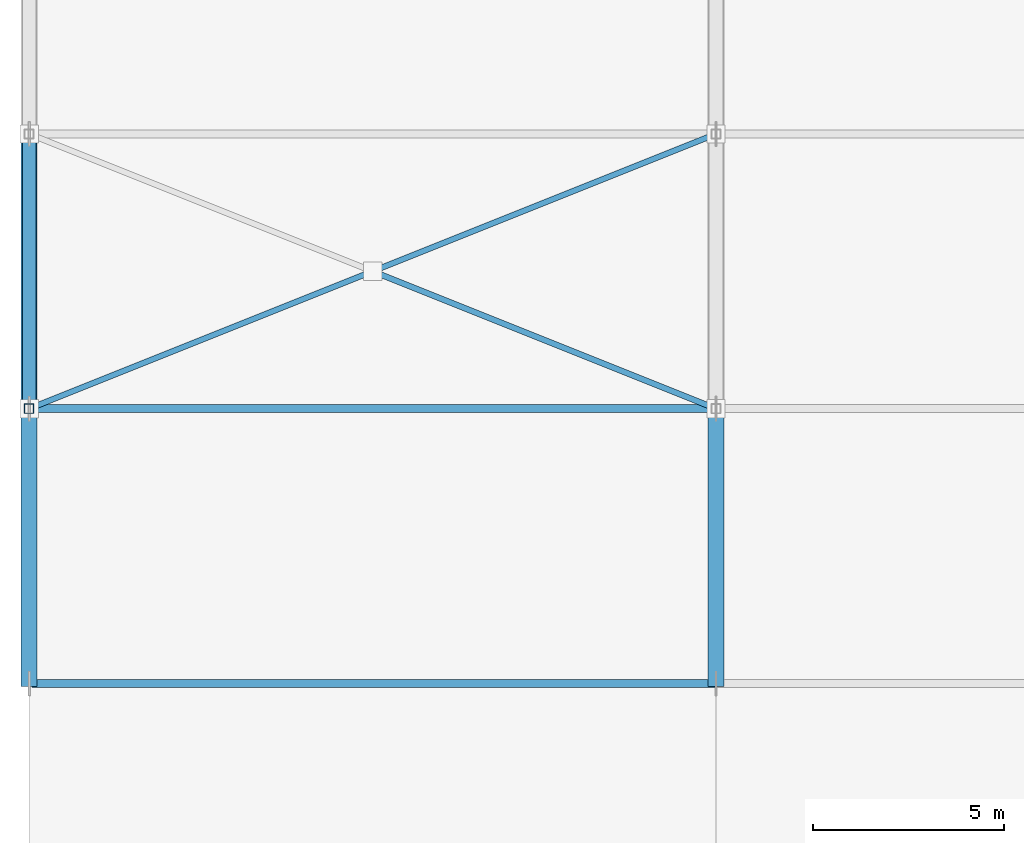
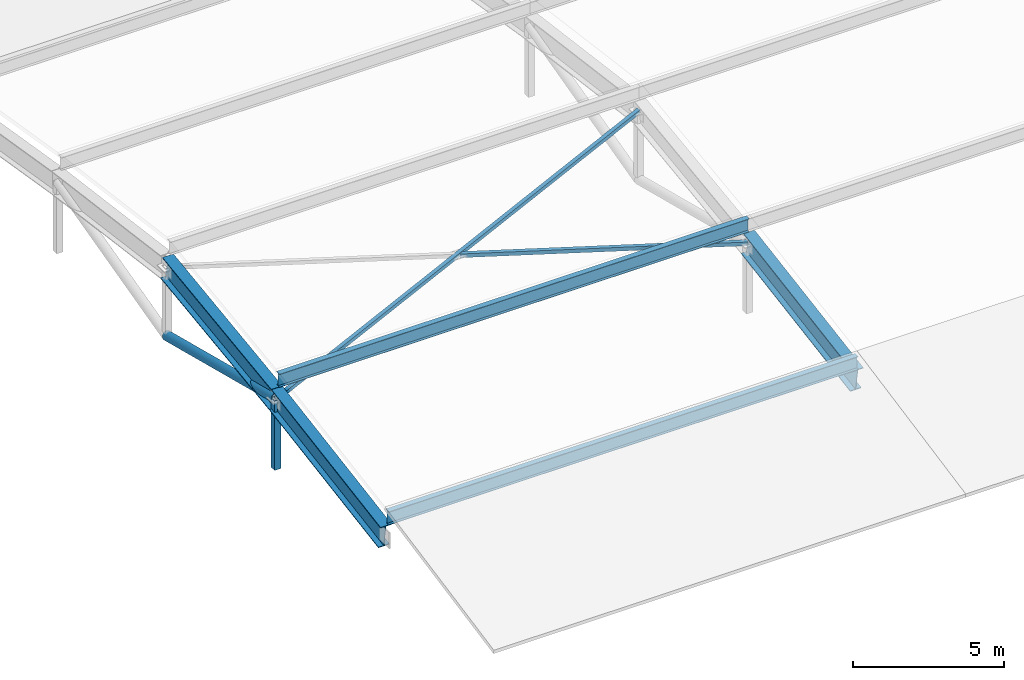
# One storey, part 7 of 78: 9 members.
"""IFC4 building model written with IfcOpenShell, lengths in metres."""

from ifc_helpers import new_model, si_unit, direction, frame, origin, origin_2d, place, context, subcontext, project, spatial, hollow_rectangle, hollow_circle, i_section, extrude, material, material_profile, profile_set, type_object, element, save


model = new_model("IFC4")

# Units and contexts
model_context = context("Model", 3, precision=1e-05, world=origin(), true_north=direction((0.0, 1.0)))
body_context = subcontext(model_context, "Body", "Model", "MODEL_VIEW")
ifc_project = project(units=[si_unit("LENGTHUNIT", "METRE"), si_unit("AREAUNIT", "SQUARE_METRE"), si_unit("VOLUMEUNIT", "CUBIC_METRE"), si_unit("PLANEANGLEUNIT", "RADIAN"), si_unit("MASSUNIT", "GRAM", prefix="KILO")], contexts=[model_context])

# Site, building, storey
site_placement = place(None, origin())
site = spatial("IfcSite", under=ifc_project, at=site_placement, CompositionType="ELEMENT")
building_placement = place(site_placement, origin())
building = spatial("IfcBuilding", under=site, at=building_placement, Name="Celestram Park Convention Centre", CompositionType="ELEMENT")
storey_placement = place(building_placement, frame((0.0, 0.0, 19.800048828125)))
storey = spatial("IfcBuildingStorey", under=building, at=storey_placement, Name="L04", CompositionType="ELEMENT", Elevation=19.800048828125)

# Members
ifc_material_1 = material(Name="Steel ASTM A500 Grade C", Category="steel")
ifc_material_profile_1 = material_profile(ifc_material_1, hollow_circle(Radius=0.177978515625, WallThickness=0.011962890625, at=origin_2d()), Name="CHS356X12")
ifc_profile_set_1 = profile_set([ifc_material_profile_1], Name="Steel ASTM A500 Grade C")
member_type_1 = type_object("IfcMemberType", Name="STR-BRC-CHS356", PredefinedType="BRACE", material=ifc_profile_set_1)
member_1_placement = place(storey_placement, frame((0.0, 57.60009765625, 1.670166015625), z_axis=(0.0, 0.968804355336, -0.247826796536), x_axis=(-1.0, 0.0, 0.0)))
element("IfcMember", 1, at=member_1_placement, inside=storey, type_object=member_type_1, Name="V1 arch web diagonal", PredefinedType="BRACE", context=body_context, shape_type="SweptSolid", body=[
    extrude(hollow_circle(Radius=0.177978515625, WallThickness=0.011962890625, at=origin_2d()), origin(), (0.0, 0.0, 1.0), 7.431884765625),
])
ifc_material_profile_2 = material_profile(ifc_material_1, hollow_rectangle(XDim=0.14990234375, YDim=0.14990234375, WallThickness=0.008056640625, at=origin_2d()), Name="HSS150X150X8")
ifc_profile_set_2 = profile_set([ifc_material_profile_2], Name="Steel ASTM A500 Grade C")
member_type_2 = type_object("IfcMemberType", Name="STR-BRC-HSS150", PredefinedType="BRACE", material=ifc_profile_set_2)
member_2_placement = place(storey_placement, frame((0.0, 57.60009765625, 1.6416015625), z_axis=(0.927345409969, 0.370935648402, 0.049368363907), x_axis=(-0.371388505097, 0.928477559385, 0.0)))
element("IfcMember", 2, at=member_2_placement, inside=storey, type_object=member_type_2, Name="Roof lateral continuous wind X-brace", PredefinedType="BRACE", context=body_context, shape_type="SweptSolid", body=[
    extrude(hollow_rectangle(XDim=0.14990234375, YDim=0.14990234375, WallThickness=0.008056640625, at=origin_2d()), origin(), (0.0, 0.0, 1.0), 19.41015625),
])
member_3_placement = place(storey_placement, frame((18.0, 57.60009765625, 1.6416015625), z_axis=(-0.927347228537, 0.370928740108, 0.049386106202), x_axis=(-0.37138191452, -0.928480195571, 0.0)))
element("IfcMember", 3, at=member_3_placement, inside=storey, type_object=member_type_2, Name="Roof lateral split wind X-brace lower half", PredefinedType="BRACE", context=body_context, shape_type="SweptSolid", body=[
    extrude(hollow_rectangle(XDim=0.14990234375, YDim=0.14990234375, WallThickness=0.008056640625, at=origin_2d()), origin(), (0.0, 0.0, 1.0), 9.6201171875),
])
ifc_material_2 = material(Name="Steel ASTM A992 Grade 50", Category="steel")
ifc_material_profile_3 = material_profile(ifc_material_2, i_section(OverallWidth=0.4189453125, OverallDepth=0.927001953125, WebThickness=0.019287109375, FlangeThickness=0.031982421875, at=origin_2d()), Name="W36X231")
ifc_profile_set_3 = profile_set([ifc_material_profile_3], Name="Steel ASTM A992 Grade 50")
member_type_3 = type_object("IfcMemberType", Name="STR-CHD-W36X231", PredefinedType="CHORD", material=ifc_profile_set_3)
member_4_placement = place(storey_placement, frame((0.0, 50.39990234375, 0.481689453125), z_axis=(0.0, 0.986649508872, 0.162858056734), x_axis=(-1.0, 0.0, 0.0)))
element("IfcMember", 4, at=member_4_placement, inside=storey, type_object=member_type_3, Name="V1 arch top chord", PredefinedType="CHORD", context=body_context, shape_type="SweptSolid", body=[
    extrude(i_section(OverallWidth=0.4189453125, OverallDepth=0.927001953125, WebThickness=0.019287109375, FlangeThickness=0.031982421875, at=origin_2d()), origin(), (0.0, 0.0, 1.0), 7.297607421875),
])
member_5_placement = place(storey_placement, frame((0.0, 57.60009765625, 1.670166015625), z_axis=(0.0, 0.991259283276, 0.131928136952), x_axis=(-1.0, 0.0, 0.0)))
element("IfcMember", 5, at=member_5_placement, inside=storey, type_object=member_type_3, Name="V1 arch top chord", PredefinedType="CHORD", context=body_context, shape_type="SweptSolid", body=[
    extrude(i_section(OverallWidth=0.4189453125, OverallDepth=0.927001953125, WebThickness=0.019287109375, FlangeThickness=0.031982421875, at=origin_2d()), origin(), (0.0, 0.0, 1.0), 7.263427734375),
])
member_6_placement = place(storey_placement, frame((18.0, 50.39990234375, 0.481689453125), z_axis=(0.0, 0.986649508872, 0.162858056734), x_axis=(-1.0, 0.0, 0.0)))
element("IfcMember", 6, at=member_6_placement, inside=storey, type_object=member_type_3, Name="V1 arch top chord", PredefinedType="CHORD", context=body_context, shape_type="SweptSolid", body=[
    extrude(i_section(OverallWidth=0.4189453125, OverallDepth=0.927001953125, WebThickness=0.019287109375, FlangeThickness=0.031982421875, at=origin_2d()), origin(), (0.0, 0.0, 1.0), 7.297607421875),
])
ifc_material_profile_4 = material_profile(ifc_material_2, i_section(OverallWidth=0.2099609375, OverallDepth=0.532958984375, WebThickness=0.01025390625, FlangeThickness=0.015625, at=origin_2d()), Name="W21X62")
ifc_profile_set_4 = profile_set([ifc_material_profile_4], Name="Steel ASTM A992 Grade 50")
member_type_4 = type_object("IfcMemberType", Name="STR-RFT-W21X62", PredefinedType="RAFTER", material=ifc_profile_set_4)
for number, where, z_axis, x_axis, name in (
    (7, (0.080078125, 50.39990234375, 1.211669921875), (1.0, 0.0, 0.0), (0.0, 1.0, 0.0), "V1 roof purlin"),
    (8, (0.080078125, 57.60009765625, 2.400146484375), (1.0, 0.0, 0.0), (0.0, 1.0, 0.0), "V1 roof purlin"),
):
    element("IfcMember", number, at=place(storey_placement, frame(where, z_axis=z_axis, x_axis=x_axis)), inside=storey, type_object=member_type_4, Name=name, PredefinedType="RAFTER", context=body_context, shape_type="SweptSolid", body=[
        extrude(i_section(OverallWidth=0.2099609375, OverallDepth=0.532958984375, WebThickness=0.01025390625, FlangeThickness=0.015625, at=origin_2d()), origin(), (0.0, 0.0, 1.0), 17.919921875),
    ])
ifc_material_profile_5 = material_profile(ifc_material_1, hollow_rectangle(XDim=0.25, YDim=0.25, WallThickness=0.011962890625, at=origin_2d()), Name="HSS250X250X12")
ifc_profile_set_5 = profile_set([ifc_material_profile_5], Name="Steel ASTM A500 Grade C")
member_type_5 = type_object("IfcMemberType", Name="STR-STR-HSS250", PredefinedType="STRUT", material=ifc_profile_set_5)
member_7_placement = place(storey_placement, frame((0.0, 57.60009765625, -1.1298828125), z_axis=(0.0, 0.0, 1.0), x_axis=(1.0, 0.0, 0.0)))
element("IfcMember", 9, at=member_7_placement, inside=storey, type_object=member_type_5, Name="V1 arch vertical strut", PredefinedType="STRUT", context=body_context, shape_type="SweptSolid", body=[
    extrude(hollow_rectangle(XDim=0.25, YDim=0.25, WallThickness=0.011962890625, at=origin_2d()), origin(), (0.0, 0.0, 1.0), 2.800048828125),
])

save(model, "model.ifc")
